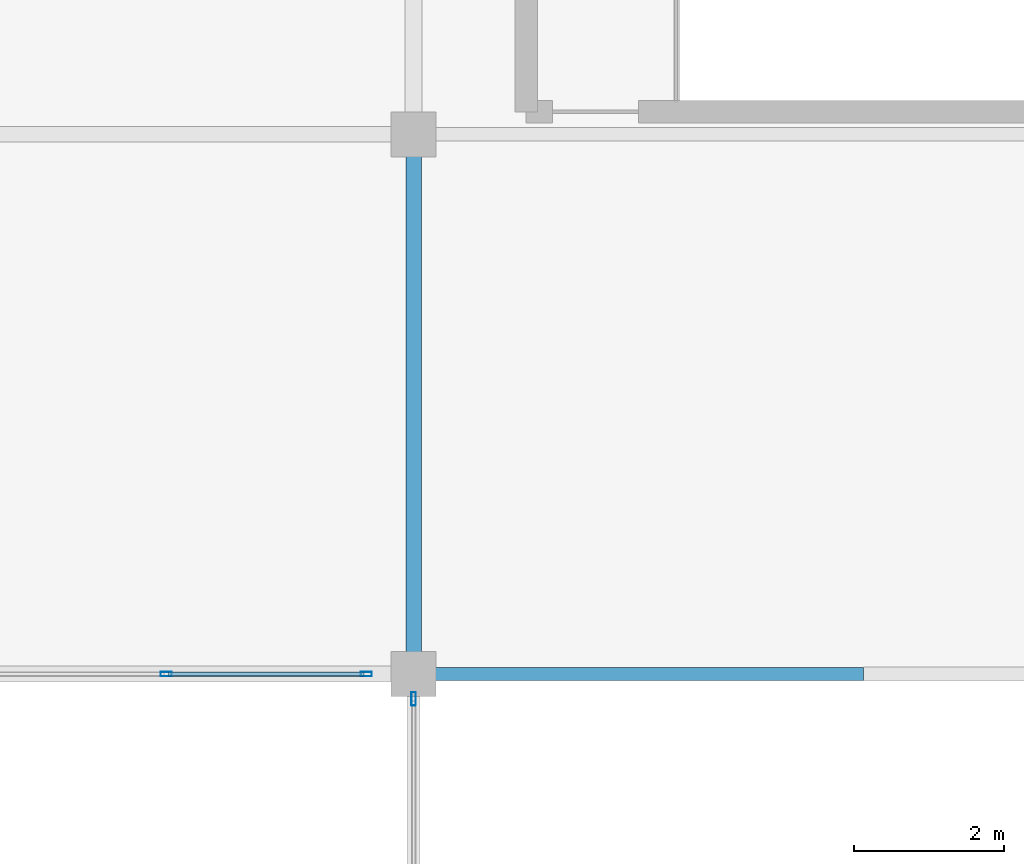
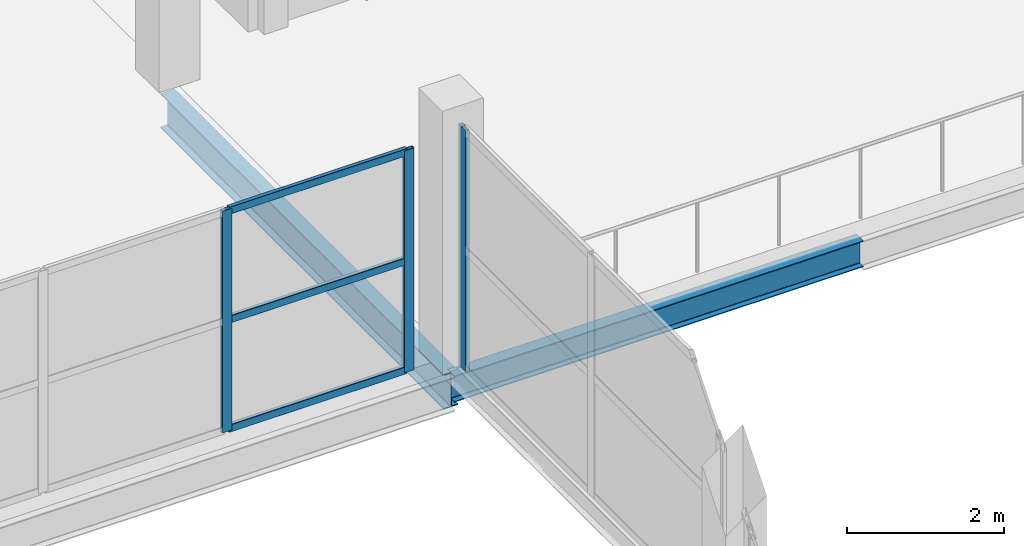
# One storey, part 64 of 127: 6 members, 2 beams, 2 elements without a shape of their own.
"""IFC4 building model written with IfcOpenShell, lengths in metres."""

from ifc_helpers import new_model, si_unit, direction, frame, origin, origin_2d, place, context, subcontext, project, spatial, hollow_rectangle, i_section, extrude, material, layer, layer_set, material_profile, profile_set, type_object, element, aggregate, save


model = new_model("IFC4")

# Units and contexts
model_context = context("Model", 3, precision=1e-05, world=origin(), true_north=direction((0.0, 1.0)))
body_context = subcontext(model_context, "Body", "Model", "MODEL_VIEW")
ifc_project = project(units=[si_unit("LENGTHUNIT", "METRE"), si_unit("AREAUNIT", "SQUARE_METRE"), si_unit("VOLUMEUNIT", "CUBIC_METRE"), si_unit("PLANEANGLEUNIT", "RADIAN"), si_unit("MASSUNIT", "GRAM", prefix="KILO")], contexts=[model_context])

# Site, building, storey
site_placement = place(None, origin())
site = spatial("IfcSite", under=ifc_project, at=site_placement, CompositionType="ELEMENT")
building_placement = place(site_placement, origin())
building = spatial("IfcBuilding", under=site, at=building_placement, Name="Dunvalen Ferry Terminal", CompositionType="ELEMENT")
storey_placement = place(building_placement, frame((0.0, 0.0, 5.760009765625)))
storey = spatial("IfcBuildingStorey", under=building, at=storey_placement, Name="L01", CompositionType="ELEMENT", Elevation=5.760009765625)

# Curtain wall, member
ifc_material_1 = material(Name="Anodised marine aluminium and solar-control glazing", Category="aluminium")
ifc_layer_1 = layer(ifc_material_1, 0.219970703125, Name="Anodised marine aluminium and solar-control glazing")
ifc_layer_set_1 = layer_set([ifc_layer_1], Name="Anodised marine aluminium and solar-control glazing")
curtain_wall_type_1 = type_object("IfcCurtainWallType", Name="ENV-CW-SYS-04", PredefinedType="NOTDEFINED", material=ifc_layer_set_1)
curtain_wall_1_placement = place(storey_placement, origin())
curtain_wall_1 = element("IfcCurtainWall", 1, at=curtain_wall_1_placement, inside=storey, type_object=curtain_wall_type_1, Name="L01 Curtain Wall CW-V2W-L01-2", PredefinedType="NOTDEFINED")
ifc_material_2 = material(Name="Anodised marine aluminium EN AW-6063 T6", Category="aluminium")
ifc_material_profile_1 = material_profile(ifc_material_2, hollow_rectangle(XDim=0.06005859375, YDim=0.179931640625, WallThickness=0.00341796875, InnerFilletRadius=0.00341796875, OuterFilletRadius=0.007080078125, at=origin_2d()), Name="Anodised marine aluminium EN AW-6063 T6")
ifc_profile_set_1 = profile_set([ifc_material_profile_1], Name="Anodised marine aluminium EN AW-6063 T6")
member_type_1 = type_object("IfcMemberType", Name="ENV-CW-MUL-2", PredefinedType="MULLION", material=ifc_profile_set_1)
member_1_placement = place(storey_placement, frame((108.0, 71.669921875, 0.02001953125), z_axis=(0.0, 0.0, 1.0), x_axis=(-1.0, 0.0, 0.0)))
member_1 = element("IfcMember", 2, at=member_1_placement, type_object=member_type_1, Name="CW-04 mullion 3", PredefinedType="MULLION", context=body_context, shape_type="SweptSolid", body=[
    extrude(hollow_rectangle(XDim=0.06005859375, YDim=0.179931640625, WallThickness=0.00341796875, InnerFilletRadius=0.00341796875, OuterFilletRadius=0.007080078125, at=origin_2d()), origin(), (0.0, 0.0, 1.0), 3.739990234375),
])
aggregate(curtain_wall_1, [member_1])

# Curtain wall, members
ifc_layer_2 = layer(ifc_material_1, 0.159912109375, Name="Anodised marine aluminium and solar-control glazing")
ifc_layer_set_2 = layer_set([ifc_layer_2], Name="Anodised marine aluminium and solar-control glazing")
curtain_wall_type_2 = type_object("IfcCurtainWallType", Name="ENV-CW-SYS-09", PredefinedType="NOTDEFINED", material=ifc_layer_set_2)
curtain_wall_2_placement = place(storey_placement, origin())
curtain_wall_2 = element("IfcCurtainWall", 3, at=curtain_wall_2_placement, inside=storey, type_object=curtain_wall_type_2, Name="L01 Curtain Wall CW-LNK12-1", PredefinedType="NOTDEFINED")
ifc_material_profile_2 = material_profile(ifc_material_2, hollow_rectangle(XDim=0.06005859375, YDim=0.14990234375, WallThickness=0.00341796875, InnerFilletRadius=0.00341796875, OuterFilletRadius=0.007080078125, at=origin_2d()), Name="Anodised marine aluminium EN AW-6063 T6")
ifc_profile_set_2 = profile_set([ifc_material_profile_2], Name="Anodised marine aluminium EN AW-6063 T6")
member_type_2 = type_object("IfcMemberType", Name="ENV-CW-MUL-3", PredefinedType="MULLION", material=ifc_profile_set_2)
member_2_placement = place(storey_placement, frame((104.699951171875, 72.0, 0.0), z_axis=(0.0, 0.0, 1.0), x_axis=(0.0, 1.0, 0.0)))
member_2 = element("IfcMember", 4, at=member_2_placement, type_object=member_type_2, Name="CW-09 mullion 4", PredefinedType="MULLION", context=body_context, shape_type="SweptSolid", body=[
    extrude(hollow_rectangle(XDim=0.06005859375, YDim=0.14990234375, WallThickness=0.00341796875, InnerFilletRadius=0.00341796875, OuterFilletRadius=0.007080078125, at=origin_2d()), origin(), (0.0, 0.0, 1.0), 3.43994140625),
])
member_3_placement = place(storey_placement, frame((107.3701171875, 72.0, 0.0), z_axis=(0.0, 0.0, 1.0), x_axis=(0.0, 1.0, 0.0)))
member_3 = element("IfcMember", 5, at=member_3_placement, type_object=member_type_2, Name="CW-09 mullion 5", PredefinedType="MULLION", context=body_context, shape_type="SweptSolid", body=[
    extrude(hollow_rectangle(XDim=0.06005859375, YDim=0.14990234375, WallThickness=0.00341796875, InnerFilletRadius=0.00341796875, OuterFilletRadius=0.007080078125, at=origin_2d()), origin(), (0.0, 0.0, 1.0), 3.43994140625),
])
ifc_material_profile_3 = material_profile(ifc_material_2, hollow_rectangle(XDim=0.06005859375, YDim=0.114990234375, WallThickness=0.0029296875, InnerFilletRadius=0.0029296875, OuterFilletRadius=0.006103515625, at=origin_2d()), Name="Anodised marine aluminium EN AW-6063 T6")
ifc_profile_set_3 = profile_set([ifc_material_profile_3], Name="Anodised marine aluminium EN AW-6063 T6")
member_type_3 = type_object("IfcMemberType", Name="ENV-CW-TRN-3", PredefinedType="USERDEFINED", material=ifc_profile_set_3)
member_4_placement = place(storey_placement, frame((104.72998046875, 72.0, 0.030029296875), z_axis=(1.0, 0.0, 0.0), x_axis=(0.0, 1.0, 0.0)))
member_4 = element("IfcMember", 6, at=member_4_placement, type_object=member_type_3, Name="CW-09 transom 4.1", ObjectType="TRANSOM", PredefinedType="USERDEFINED", context=body_context, shape_type="SweptSolid", body=[
    extrude(hollow_rectangle(XDim=0.06005859375, YDim=0.114990234375, WallThickness=0.0029296875, InnerFilletRadius=0.0029296875, OuterFilletRadius=0.006103515625, at=origin_2d()), origin(), (0.0, 0.0, 1.0), 2.610107421875),
])
member_5_placement = place(storey_placement, frame((104.72998046875, 72.0, 1.719970703125), z_axis=(1.0, 0.0, 0.0), x_axis=(0.0, 1.0, 0.0)))
member_5 = element("IfcMember", 7, at=member_5_placement, type_object=member_type_3, Name="CW-09 transom 4.2", ObjectType="TRANSOM", PredefinedType="USERDEFINED", context=body_context, shape_type="SweptSolid", body=[
    extrude(hollow_rectangle(XDim=0.06005859375, YDim=0.114990234375, WallThickness=0.0029296875, InnerFilletRadius=0.0029296875, OuterFilletRadius=0.006103515625, at=origin_2d()), origin(), (0.0, 0.0, 1.0), 2.610107421875),
])
member_6_placement = place(storey_placement, frame((104.72998046875, 72.0, 3.409912109375), z_axis=(1.0, 0.0, 0.0), x_axis=(0.0, 1.0, 0.0)))
member_6 = element("IfcMember", 8, at=member_6_placement, type_object=member_type_3, Name="CW-09 transom 4.3", ObjectType="TRANSOM", PredefinedType="USERDEFINED", context=body_context, shape_type="SweptSolid", body=[
    extrude(hollow_rectangle(XDim=0.06005859375, YDim=0.114990234375, WallThickness=0.0029296875, InnerFilletRadius=0.0029296875, OuterFilletRadius=0.006103515625, at=origin_2d()), origin(), (0.0, 0.0, 1.0), 2.610107421875),
])
aggregate(curtain_wall_2, [member_2, member_3, member_4, member_5, member_6])

# Beams
ifc_material_3 = material(Name="Steel S355", Category="steel")
ifc_material_profile_4 = material_profile(ifc_material_3, i_section(OverallWidth=0.177978515625, OverallDepth=0.406494140625, WebThickness=0.0078125, FlangeThickness=0.0126953125, FilletRadius=0.01025390625, at=origin_2d()), Name="Steel S355")
ifc_profile_set_4 = profile_set([ifc_material_profile_4], Name="Steel S355")
beam_type_1 = type_object("IfcBeamType", Name="STR-BM-UKB406", PredefinedType="JOIST", material=ifc_profile_set_4)
beam_1_placement = place(storey_placement, frame((108.0, 72.0, -0.463134765625), z_axis=(1.0, 0.0, 0.0), x_axis=(0.0, 1.0, 0.0)))
element("IfcBeam", 9, at=beam_1_placement, inside=storey, type_object=beam_type_1, Name="L01 V2M Primary Beam X-015", PredefinedType="JOIST", context=body_context, shape_type="SweptSolid", body=[
    extrude(i_section(OverallWidth=0.177978515625, OverallDepth=0.406494140625, WebThickness=0.0078125, FlangeThickness=0.0126953125, FilletRadius=0.01025390625, at=origin_2d()), origin(), (0.0, 0.0, 1.0), 6.0),
])
ifc_material_profile_5 = material_profile(ifc_material_3, i_section(OverallWidth=0.209228515625, OverallDepth=0.533203125, WebThickness=0.010009765625, FlangeThickness=0.015625, FilletRadius=0.0126953125, at=origin_2d()), Name="Steel S355")
ifc_profile_set_5 = profile_set([ifc_material_profile_5], Name="Steel S355")
beam_type_2 = type_object("IfcBeamType", Name="STR-BM-UKB533", PredefinedType="BEAM", material=ifc_profile_set_5)
beam_2_placement = place(storey_placement, frame((108.0, 72.0, -0.526611328125), z_axis=(0.0, 1.0, 0.0), x_axis=(-1.0, 0.0, 0.0)))
element("IfcBeam", 10, at=beam_2_placement, inside=storey, type_object=beam_type_2, Name="L01 V2M Primary Girder Y-044", PredefinedType="BEAM", context=body_context, shape_type="SweptSolid", body=[
    extrude(i_section(OverallWidth=0.209228515625, OverallDepth=0.533203125, WebThickness=0.010009765625, FlangeThickness=0.015625, FilletRadius=0.0126953125, at=origin_2d()), origin(), (0.0, 0.0, 1.0), 7.199951171875),
])

save(model, "model.ifc")
